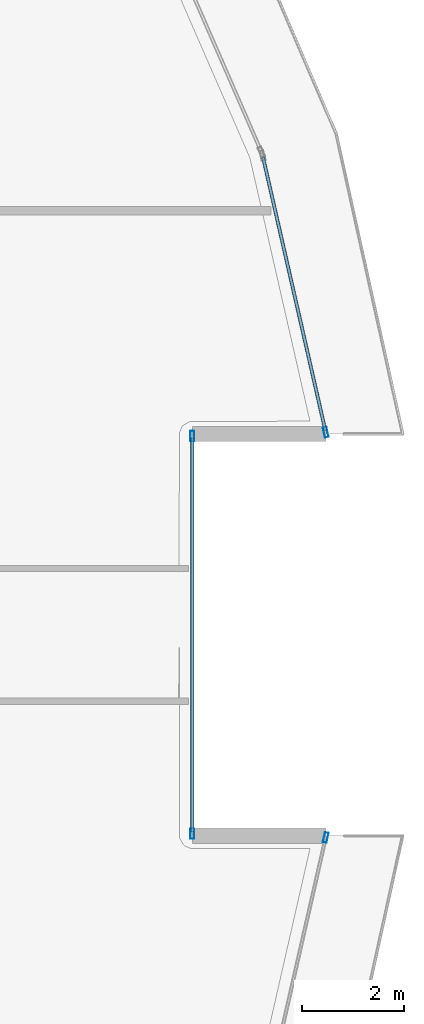
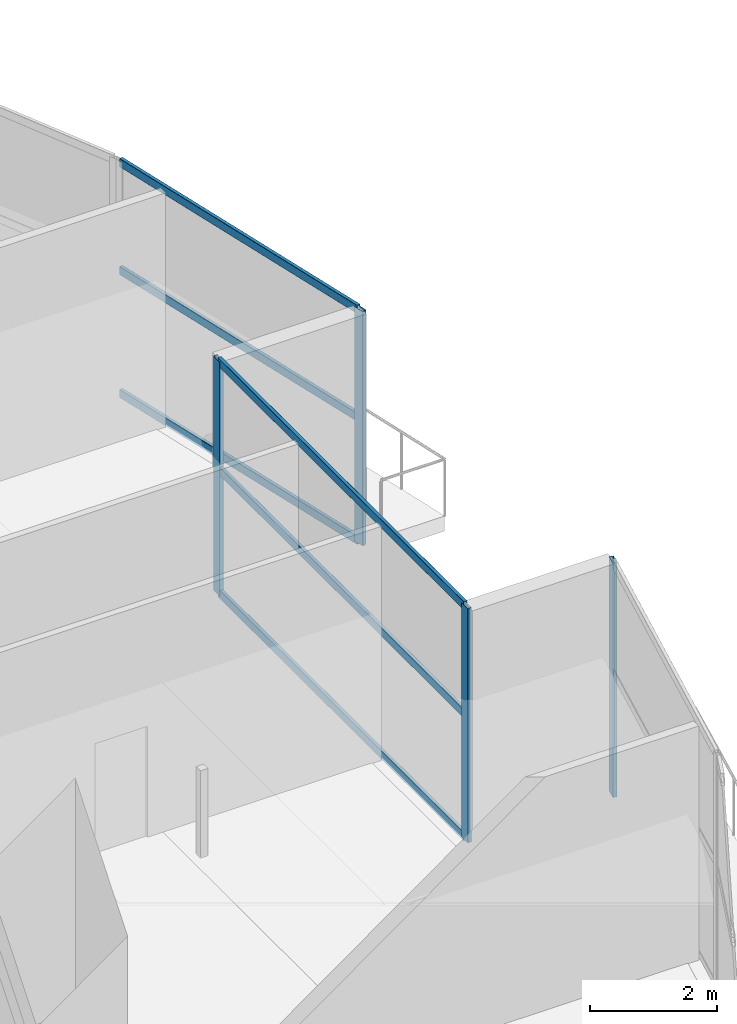
# One storey, part 13 of 36: 10 members, 3 elements without a shape of their own.
"""IFC4 building model written with IfcOpenShell, lengths in metres."""

from ifc_helpers import new_model, si_unit, direction, frame, origin, origin_2d, place, context, subcontext, project, spatial, hollow_rectangle, extrude, material, layer, layer_set, material_profile, profile_set, type_object, element, aggregate, save


model = new_model("IFC4")

# Units and contexts
model_context = context("Model", 3, precision=1e-05, world=origin(), true_north=direction((0.0, 1.0)))
body_context = subcontext(model_context, "Body", "Model", "MODEL_VIEW")
ifc_project = project(units=[si_unit("LENGTHUNIT", "METRE"), si_unit("AREAUNIT", "SQUARE_METRE"), si_unit("VOLUMEUNIT", "CUBIC_METRE"), si_unit("PLANEANGLEUNIT", "RADIAN"), si_unit("MASSUNIT", "GRAM", prefix="KILO")], contexts=[model_context])

# Site, building, storey
site_placement = place(None, origin())
site = spatial("IfcSite", under=ifc_project, at=site_placement, CompositionType="ELEMENT")
building_placement = place(site_placement, origin())
building = spatial("IfcBuilding", under=site, at=building_placement, Name="Qorvath Tower", CompositionType="ELEMENT")
storey_placement = place(building_placement, frame((0.0, 0.0, 255.0)))
storey = spatial("IfcBuildingStorey", under=building, at=storey_placement, Name="L59", CompositionType="ELEMENT", Elevation=255.0)

# Curtain wall, member
ifc_material_1 = material(Name="Anodised aluminium and triple low-E glass", Category="aluminium")
ifc_layer = layer(ifc_material_1, 0.179931640625)
ifc_layer_set = layer_set([ifc_layer], Name="CW-SYS-5")
curtain_wall_type = type_object("IfcCurtainWallType", Name="CW-SYS-5", PredefinedType="NOTDEFINED", material=ifc_layer_set)
curtain_wall_1_placement = place(storey_placement, origin())
curtain_wall_1 = element("IfcCurtainWall", 1, at=curtain_wall_1_placement, inside=storey, type_object=curtain_wall_type, Name="Curtain Wall CW-5 CW-T-L59-7.1", PredefinedType="NOTDEFINED")
ifc_material_2 = material(Name="Anodised aluminium 6063-T6", Category="aluminium")
ifc_material_profile_1 = material_profile(ifc_material_2, hollow_rectangle(XDim=0.074951171875, YDim=0.199951171875, WallThickness=0.00390625, InnerFilletRadius=0.00390625, OuterFilletRadius=0.008056640625, at=origin_2d()), Name="CWM 200x75")
ifc_profile_set_1 = profile_set([ifc_material_profile_1], Name="Anodised aluminium 6063-T6")
member_type_1 = type_object("IfcMemberType", Name="CWM-200", PredefinedType="MULLION", material=ifc_profile_set_1)
member_1_placement = place(storey_placement, frame((-0.93017578125, -3.989501953125, 0.0), z_axis=(0.0, 0.0, 1.0), x_axis=(-0.97497120511, 0.22233117012, 0.0)))
member_1 = element("IfcMember", 2, at=member_1_placement, type_object=member_type_1, Name="CW-5 mullion 2", PredefinedType="MULLION", context=body_context, shape_type="SweptSolid", body=[
    extrude(hollow_rectangle(XDim=0.074951171875, YDim=0.199951171875, WallThickness=0.00390625, InnerFilletRadius=0.00390625, OuterFilletRadius=0.008056640625, at=origin_2d()), origin(), (0.0, 0.0, 1.0), 4.510009765625),
])
aggregate(curtain_wall_1, [member_1])

# Curtain wall, members
curtain_wall_2_placement = place(storey_placement, origin())
curtain_wall_2 = element("IfcCurtainWall", 3, at=curtain_wall_2_placement, inside=storey, type_object=curtain_wall_type, Name="Curtain Wall CW-5 CW-T-L59-9.1", PredefinedType="NOTDEFINED")
member_2_placement = place(storey_placement, frame((-3.556884765625, -3.915283203125, 0.0), z_axis=(0.0, 0.0, 1.0), x_axis=(-1.0, 0.0, 0.0)))
member_2 = element("IfcMember", 4, at=member_2_placement, type_object=member_type_1, Name="CW-5 mullion 1", PredefinedType="MULLION", context=body_context, shape_type="SweptSolid", body=[
    extrude(hollow_rectangle(XDim=0.074951171875, YDim=0.199951171875, WallThickness=0.00390625, InnerFilletRadius=0.00390625, OuterFilletRadius=0.008056640625, at=origin_2d()), origin(), (0.0, 0.0, 1.0), 4.510009765625),
])
member_3_placement = place(storey_placement, frame((-3.556884765625, 3.915283203125, 0.0), z_axis=(0.0, 0.0, 1.0), x_axis=(-1.0, 0.0, 0.0)))
member_3 = element("IfcMember", 5, at=member_3_placement, type_object=member_type_1, Name="CW-5 mullion 2", PredefinedType="MULLION", context=body_context, shape_type="SweptSolid", body=[
    extrude(hollow_rectangle(XDim=0.074951171875, YDim=0.199951171875, WallThickness=0.00390625, InnerFilletRadius=0.00390625, OuterFilletRadius=0.008056640625, at=origin_2d()), origin(), (0.0, 0.0, 1.0), 4.510009765625),
])

# Curtain wall, member
curtain_wall_3_placement = place(storey_placement, origin())
curtain_wall_3 = element("IfcCurtainWall", 6, at=curtain_wall_3_placement, inside=storey, type_object=curtain_wall_type, Name="Curtain Wall CW-5 CW-T-L59-11.1", PredefinedType="NOTDEFINED")
member_4_placement = place(storey_placement, frame((-0.93017578125, 3.989501953125, 0.0), z_axis=(0.0, 0.0, 1.0), x_axis=(-0.97497120511, -0.22233117012, 0.0)))
member_4 = element("IfcMember", 7, at=member_4_placement, type_object=member_type_1, Name="CW-5 mullion 1", PredefinedType="MULLION", context=body_context, shape_type="SweptSolid", body=[
    extrude(hollow_rectangle(XDim=0.074951171875, YDim=0.199951171875, WallThickness=0.00390625, InnerFilletRadius=0.00390625, OuterFilletRadius=0.008056640625, at=origin_2d()), origin(), (0.0, 0.0, 1.0), 4.510009765625),
])

# Member
ifc_material_3 = material(Name="Anodised aluminium 6063-T6", Category="aluminium")
ifc_material_profile_2 = material_profile(ifc_material_3, hollow_rectangle(XDim=0.06494140625, YDim=0.159912109375, WallThickness=0.00341796875, InnerFilletRadius=0.00341796875, OuterFilletRadius=0.007080078125, at=origin_2d()), Name="CWT 160x65")
ifc_profile_set_2 = profile_set([ifc_material_profile_2], Name="Anodised aluminium 6063-T6")
member_type_2 = type_object("IfcMemberType", Name="CWT-160", PredefinedType="USERDEFINED", material=ifc_profile_set_2)
member_5_placement = place(storey_placement, frame((-3.556884765625, -3.8779296875, 0.032470703125), z_axis=(0.0, 1.0, 0.0), x_axis=(-1.0, 0.0, 0.0)))
member_5 = element("IfcMember", 8, at=member_5_placement, type_object=member_type_2, Name="CW-5 transom 1.1", ObjectType="TRANSOM", PredefinedType="USERDEFINED", context=body_context, shape_type="SweptSolid", body=[
    extrude(hollow_rectangle(XDim=0.06494140625, YDim=0.159912109375, WallThickness=0.00341796875, InnerFilletRadius=0.00341796875, OuterFilletRadius=0.007080078125, at=origin_2d()), origin(), (0.0, 0.0, 1.0), 7.755859375),
])

member_6_placement = place(storey_placement, frame((-3.556884765625, -3.8779296875, 2.39990234375), z_axis=(0.0, 1.0, 0.0), x_axis=(-1.0, 0.0, 0.0)))
member_6 = element("IfcMember", 9, at=member_6_placement, type_object=member_type_2, Name="CW-5 transom 1.2", ObjectType="TRANSOM", PredefinedType="USERDEFINED", context=body_context, shape_type="SweptSolid", body=[
    extrude(hollow_rectangle(XDim=0.06494140625, YDim=0.159912109375, WallThickness=0.00341796875, InnerFilletRadius=0.00341796875, OuterFilletRadius=0.007080078125, at=origin_2d()), origin(), (0.0, 0.0, 1.0), 7.755859375),
])

member_7_placement = place(storey_placement, frame((-3.556884765625, -3.8779296875, 4.4775390625), z_axis=(0.0, 1.0, 0.0), x_axis=(-1.0, 0.0, 0.0)))
member_7 = element("IfcMember", 10, at=member_7_placement, type_object=member_type_2, Name="CW-5 transom 1.3", ObjectType="TRANSOM", PredefinedType="USERDEFINED", context=body_context, shape_type="SweptSolid", body=[
    extrude(hollow_rectangle(XDim=0.06494140625, YDim=0.159912109375, WallThickness=0.00341796875, InnerFilletRadius=0.00341796875, OuterFilletRadius=0.007080078125, at=origin_2d()), origin(), (0.0, 0.0, 1.0), 7.755859375),
])

aggregate(curtain_wall_2, [member_2, member_3, member_5, member_6, member_7])

member_8_placement = place(storey_placement, frame((-0.9384765625, 4.026123046875, 0.032470703125), z_axis=(-0.222364030965, 0.974963710983, 0.0), x_axis=(-0.974963710983, -0.222364030965, 0.0)))
member_8 = element("IfcMember", 11, at=member_8_placement, type_object=member_type_2, Name="CW-5 transom 1.1", ObjectType="TRANSOM", PredefinedType="USERDEFINED", context=body_context, shape_type="SweptSolid", body=[
    extrude(hollow_rectangle(XDim=0.06494140625, YDim=0.159912109375, WallThickness=0.00341796875, InnerFilletRadius=0.00341796875, OuterFilletRadius=0.007080078125, at=origin_2d()), origin(), (0.0, 0.0, 1.0), 5.510498046875),
])

member_9_placement = place(storey_placement, frame((-0.9384765625, 4.026123046875, 2.39990234375), z_axis=(-0.222364030965, 0.974963710983, 0.0), x_axis=(-0.974963710983, -0.222364030965, 0.0)))
member_9 = element("IfcMember", 12, at=member_9_placement, type_object=member_type_2, Name="CW-5 transom 1.2", ObjectType="TRANSOM", PredefinedType="USERDEFINED", context=body_context, shape_type="SweptSolid", body=[
    extrude(hollow_rectangle(XDim=0.06494140625, YDim=0.159912109375, WallThickness=0.00341796875, InnerFilletRadius=0.00341796875, OuterFilletRadius=0.007080078125, at=origin_2d()), origin(), (0.0, 0.0, 1.0), 5.510498046875),
])

member_10_placement = place(storey_placement, frame((-0.9384765625, 4.026123046875, 4.4775390625), z_axis=(-0.222364030965, 0.974963710983, 0.0), x_axis=(-0.974963710983, -0.222364030965, 0.0)))
member_10 = element("IfcMember", 13, at=member_10_placement, type_object=member_type_2, Name="CW-5 transom 1.3", ObjectType="TRANSOM", PredefinedType="USERDEFINED", context=body_context, shape_type="SweptSolid", body=[
    extrude(hollow_rectangle(XDim=0.06494140625, YDim=0.159912109375, WallThickness=0.00341796875, InnerFilletRadius=0.00341796875, OuterFilletRadius=0.007080078125, at=origin_2d()), origin(), (0.0, 0.0, 1.0), 5.510498046875),
])

aggregate(curtain_wall_3, [member_4, member_8, member_9, member_10])

save(model, "model.ifc")
